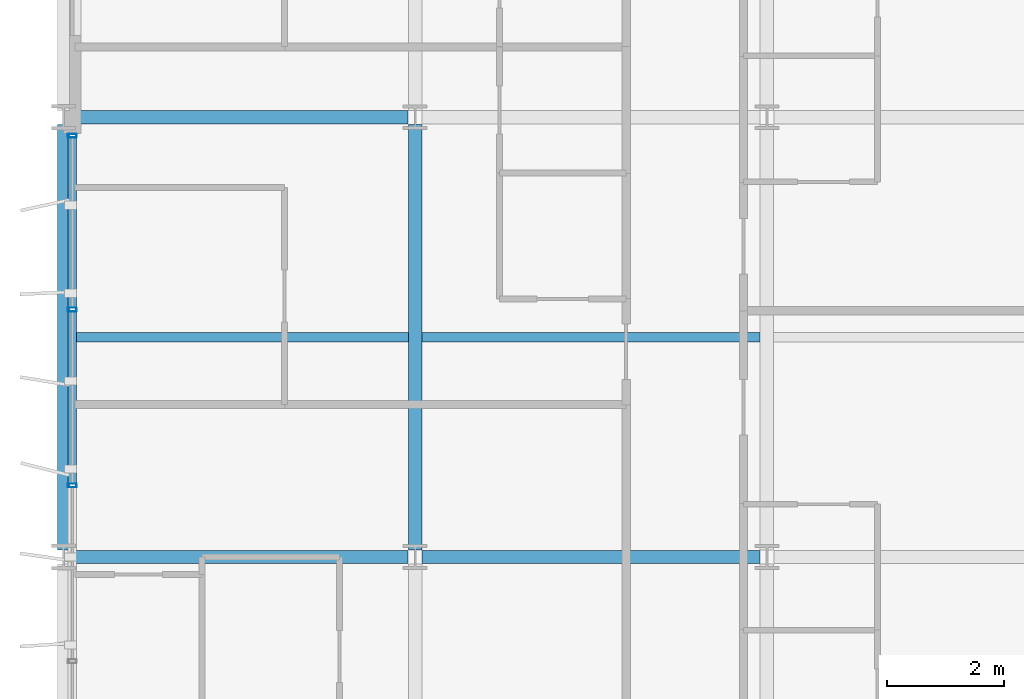
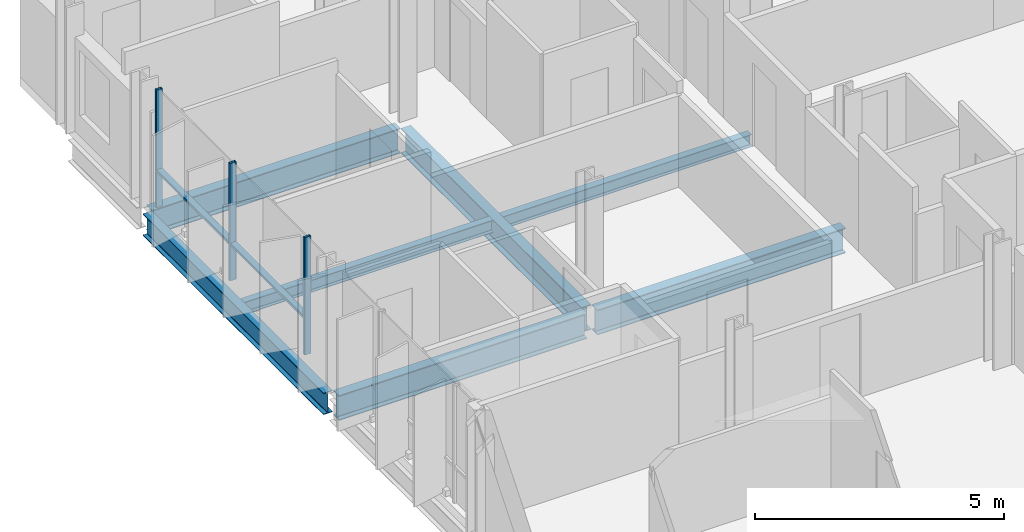
# One storey, part 5 of 39: 7 beams, 5 members, 1 element without a shape of its own.
"""IFC4 building model written with IfcOpenShell, lengths in metres."""

from ifc_helpers import new_model, si_unit, direction, frame, origin, origin_2d, place, context, subcontext, project, spatial, hollow_rectangle, i_section, extrude, material, layer, layer_set, material_profile, profile_set, type_object, element, aggregate, save


model = new_model("IFC4")

# Units and contexts
model_context = context("Model", 3, precision=1e-05, world=origin(), true_north=direction((0.0, 1.0)))
body_context = subcontext(model_context, "Body", "Model", "MODEL_VIEW")
ifc_project = project(units=[si_unit("LENGTHUNIT", "METRE"), si_unit("AREAUNIT", "SQUARE_METRE"), si_unit("VOLUMEUNIT", "CUBIC_METRE"), si_unit("PLANEANGLEUNIT", "RADIAN"), si_unit("MASSUNIT", "GRAM", prefix="KILO")], contexts=[model_context])

# Site, building, storey
site_placement = place(None, origin())
site = spatial("IfcSite", under=ifc_project, at=site_placement, CompositionType="ELEMENT")
building_placement = place(site_placement, origin())
building = spatial("IfcBuilding", under=site, at=building_placement, Name="Brevholm Reach", CompositionType="ELEMENT")
storey_placement = place(building_placement, frame((0.0, 0.0, 103.5)))
storey = spatial("IfcBuildingStorey", under=building, at=storey_placement, Name="L30", CompositionType="ELEMENT", Elevation=103.5)

# Beams
ifc_material_1 = material(Name="Structural Steel S355J2", Category="steel")
ifc_material_profile_1 = material_profile(ifc_material_1, i_section(OverallWidth=0.1650390625, OverallDepth=0.303466796875, WebThickness=0.006103515625, FlangeThickness=0.01025390625, FilletRadius=0.0087890625, at=origin_2d()), Name="UKB 305x165x40")
ifc_profile_set_1 = profile_set([ifc_material_profile_1], Name="Structural Steel S355J2")
beam_type_1 = type_object("IfcBeamType", Name="BM-B305", PredefinedType="BEAM", material=ifc_profile_set_1)
beam_1_placement = place(storey_placement, frame((0.104736328125, 19.75, -0.37158203125), z_axis=(1.0, 0.0, 0.0), x_axis=(0.0, 1.0, 0.0)))
element("IfcBeam", 1, at=beam_1_placement, inside=storey, type_object=beam_type_1, Name="L30 Composite Secondary Floor Beam", PredefinedType="BEAM", context=body_context, shape_type="SweptSolid", body=[
    extrude(i_section(OverallWidth=0.1650390625, OverallDepth=0.303466796875, WebThickness=0.006103515625, FlangeThickness=0.01025390625, FilletRadius=0.0087890625, at=origin_2d()), origin(), (0.0, 0.0, 1.0), 5.78076171875),
])
beam_2_placement = place(storey_placement, frame((6.114501953125, 19.75, -0.37158203125), z_axis=(1.0, 0.0, 0.0), x_axis=(0.0, 1.0, 0.0)))
element("IfcBeam", 2, at=beam_2_placement, inside=storey, type_object=beam_type_1, Name="L30 Composite Secondary Floor Beam", PredefinedType="BEAM", context=body_context, shape_type="SweptSolid", body=[
    extrude(i_section(OverallWidth=0.1650390625, OverallDepth=0.303466796875, WebThickness=0.006103515625, FlangeThickness=0.01025390625, FilletRadius=0.0087890625, at=origin_2d()), origin(), (0.0, 0.0, 1.0), 5.77099609375),
])
ifc_material_2 = material(Name="Structural Steel S355J2", Category="steel")
ifc_material_profile_2 = material_profile(ifc_material_2, i_section(OverallWidth=0.209228515625, OverallDepth=0.533203125, WebThickness=0.010009765625, FlangeThickness=0.015625, FilletRadius=0.0126953125, at=origin_2d()), Name="UKB 533x210x92")
ifc_profile_set_2 = profile_set([ifc_material_profile_2], Name="Structural Steel S355J2")
beam_type_2 = type_object("IfcBeamType", Name="BM-SP533", PredefinedType="SPANDREL", material=ifc_profile_set_2)
beam_3_placement = place(storey_placement, frame((0.0, 16.1201171875, -0.486572265625), z_axis=(0.0, 1.0, 0.0), x_axis=(-1.0, 0.0, 0.0)))
element("IfcBeam", 3, at=beam_3_placement, inside=storey, type_object=beam_type_2, Name="L30 SP-02 Framing Beam", PredefinedType="SPANDREL", context=body_context, shape_type="SweptSolid", body=[
    extrude(i_section(OverallWidth=0.209228515625, OverallDepth=0.533203125, WebThickness=0.010009765625, FlangeThickness=0.015625, FilletRadius=0.0126953125, at=origin_2d()), origin(), (0.0, 0.0, 1.0), 7.259765625),
])
ifc_material_3 = material(Name="Structural Steel S355J2", Category="steel")
ifc_material_profile_3 = material_profile(ifc_material_3, i_section(OverallWidth=0.22900390625, OverallDepth=0.6123046875, WebThickness=0.011962890625, FlangeThickness=0.01953125, FilletRadius=0.0126953125, at=origin_2d()), Name="UKB 610x229x125")
ifc_profile_set_3 = profile_set([ifc_material_profile_3], Name="Structural Steel S355J2")
beam_type_3 = type_object("IfcBeamType", Name="BM-SP610", PredefinedType="SPANDREL", material=ifc_profile_set_3)
for number, where, z_axis, x_axis, name in (
    (4, (0.1201171875, 16.0, -0.526123046875), (1.0, 0.0, 0.0), (0.0, 1.0, 0.0), "L30 SP-01 Framing Beam"),
    (5, (6.1201171875, 16.0, -0.526123046875), (1.0, 0.0, 0.0), (0.0, 1.0, 0.0), "L30 SP-01 Framing Beam"),
    (6, (0.1201171875, 23.5, -0.526123046875), (1.0, 0.0, 0.0), (0.0, 1.0, 0.0), "L30 SP-01 Framing Beam"),
):
    element("IfcBeam", number, at=place(storey_placement, frame(where, z_axis=z_axis, x_axis=x_axis)), inside=storey, type_object=beam_type_3, Name=name, PredefinedType="SPANDREL", context=body_context, shape_type="SweptSolid", body=[
        extrude(i_section(OverallWidth=0.22900390625, OverallDepth=0.6123046875, WebThickness=0.011962890625, FlangeThickness=0.01953125, FilletRadius=0.0126953125, at=origin_2d()), origin(), (0.0, 0.0, 1.0), 5.759765625),
    ])
beam_4_placement = place(storey_placement, frame((6.0, 16.1201171875, -0.526123046875), z_axis=(0.0, 1.0, 0.0), x_axis=(-1.0, 0.0, 0.0)))
element("IfcBeam", 7, at=beam_4_placement, inside=storey, type_object=beam_type_3, Name="L30 SP-01 Framing Beam", PredefinedType="SPANDREL", context=body_context, shape_type="SweptSolid", body=[
    extrude(i_section(OverallWidth=0.22900390625, OverallDepth=0.6123046875, WebThickness=0.011962890625, FlangeThickness=0.01953125, FilletRadius=0.0126953125, at=origin_2d()), origin(), (0.0, 0.0, 1.0), 7.259765625),
])

# Curtain wall, members
ifc_material_4 = material(Name="Dark Anodised Aluminium 6063-T6 and Solar-Control Glass", Category="aluminium")
ifc_layer = layer(ifc_material_4, 0.14990234375)
ifc_layer_set = layer_set([ifc_layer], Name="Dark Anodised Aluminium 6063-T6 and Solar-Control Glass")
curtain_wall_type = type_object("IfcCurtainWallType", Name="CW-01", PredefinedType="NOTDEFINED", material=ifc_layer_set)
curtain_wall_placement = place(storey_placement, origin())
curtain_wall = element("IfcCurtainWall", 8, at=curtain_wall_placement, inside=storey, type_object=curtain_wall_type, Name="L30 Curtain Wall CW-01", PredefinedType="NOTDEFINED")
ifc_material_5 = material(Name="Dark Anodised Aluminium 6063-T6", Category="aluminium")
ifc_material_profile_4 = material_profile(ifc_material_5, hollow_rectangle(XDim=0.06494140625, YDim=0.14990234375, WallThickness=0.0048828125, InnerFilletRadius=0.0048828125, OuterFilletRadius=0.010009765625, at=origin_2d()), Name="RHS 150x65x5")
ifc_profile_set_4 = profile_set([ifc_material_profile_4], Name="Dark Anodised Aluminium 6063-T6")
member_type_1 = type_object("IfcMemberType", Name="CWM-150", PredefinedType="MULLION", material=ifc_profile_set_4)
member_1_placement = place(storey_placement, frame((0.14990234375, 23.1875, 0.0), z_axis=(0.0, 0.0, 1.0), x_axis=(0.0, -1.0, 0.0)))
member_1 = element("IfcMember", 9, at=member_1_placement, type_object=member_type_1, Name="CM-150 Mullion 1", PredefinedType="MULLION", context=body_context, shape_type="SweptSolid", body=[
    extrude(hollow_rectangle(XDim=0.06494140625, YDim=0.14990234375, WallThickness=0.0048828125, InnerFilletRadius=0.0048828125, OuterFilletRadius=0.010009765625, at=origin_2d()), origin(), (0.0, 0.0, 1.0), 2.8798828125),
])
member_2_placement = place(storey_placement, frame((0.14990234375, 20.219970703125, 0.0), z_axis=(0.0, 0.0, 1.0), x_axis=(0.0, -1.0, 0.0)))
member_2 = element("IfcMember", 10, at=member_2_placement, type_object=member_type_1, Name="CM-150 Mullion 2", PredefinedType="MULLION", context=body_context, shape_type="SweptSolid", body=[
    extrude(hollow_rectangle(XDim=0.06494140625, YDim=0.14990234375, WallThickness=0.0048828125, InnerFilletRadius=0.0048828125, OuterFilletRadius=0.010009765625, at=origin_2d()), origin(), (0.0, 0.0, 1.0), 2.8798828125),
])
member_3_placement = place(storey_placement, frame((0.14990234375, 17.219970703125, 0.0), z_axis=(0.0, 0.0, 1.0), x_axis=(0.0, -1.0, 0.0)))
member_3 = element("IfcMember", 11, at=member_3_placement, type_object=member_type_1, Name="CM-150 Mullion 3", PredefinedType="MULLION", context=body_context, shape_type="SweptSolid", body=[
    extrude(hollow_rectangle(XDim=0.06494140625, YDim=0.14990234375, WallThickness=0.0048828125, InnerFilletRadius=0.0048828125, OuterFilletRadius=0.010009765625, at=origin_2d()), origin(), (0.0, 0.0, 1.0), 2.8798828125),
])
ifc_material_6 = material(Name="Dark Anodised Aluminium 6063-T6", Category="aluminium")
ifc_material_profile_5 = material_profile(ifc_material_6, hollow_rectangle(XDim=0.06494140625, YDim=0.14990234375, WallThickness=0.0048828125, InnerFilletRadius=0.0048828125, OuterFilletRadius=0.010009765625, at=origin_2d()), Name="RHS 150x65x5")
ifc_profile_set_5 = profile_set([ifc_material_profile_5], Name="Dark Anodised Aluminium 6063-T6")
member_type_2 = type_object("IfcMemberType", Name="CWT-150", PredefinedType="NOTDEFINED", material=ifc_profile_set_5)
member_4_placement = place(storey_placement, frame((0.14990234375, 23.155029296875, 0.89990234375), z_axis=(0.0, -1.0, 0.0), x_axis=(0.0, 0.0, 1.0)))
member_4 = element("IfcMember", 12, at=member_4_placement, type_object=member_type_2, Name="CT-150 Transom 1.1", ObjectType="TRANSOM", PredefinedType="USERDEFINED", context=body_context, shape_type="SweptSolid", body=[
    extrude(hollow_rectangle(XDim=0.06494140625, YDim=0.14990234375, WallThickness=0.0048828125, InnerFilletRadius=0.0048828125, OuterFilletRadius=0.010009765625, at=origin_2d()), origin(), (0.0, 0.0, 1.0), 2.902587890625),
])
member_5_placement = place(storey_placement, frame((0.14990234375, 20.1875, 0.89990234375), z_axis=(0.0, -1.0, 0.0), x_axis=(0.0, 0.0, 1.0)))
member_5 = element("IfcMember", 13, at=member_5_placement, type_object=member_type_2, Name="CT-150 Transom 2.1", ObjectType="TRANSOM", PredefinedType="USERDEFINED", context=body_context, shape_type="SweptSolid", body=[
    extrude(hollow_rectangle(XDim=0.06494140625, YDim=0.14990234375, WallThickness=0.0048828125, InnerFilletRadius=0.0048828125, OuterFilletRadius=0.010009765625, at=origin_2d()), origin(), (0.0, 0.0, 1.0), 2.93505859375),
])
aggregate(curtain_wall, [member_1, member_2, member_3, member_4, member_5])

save(model, "model.ifc")
